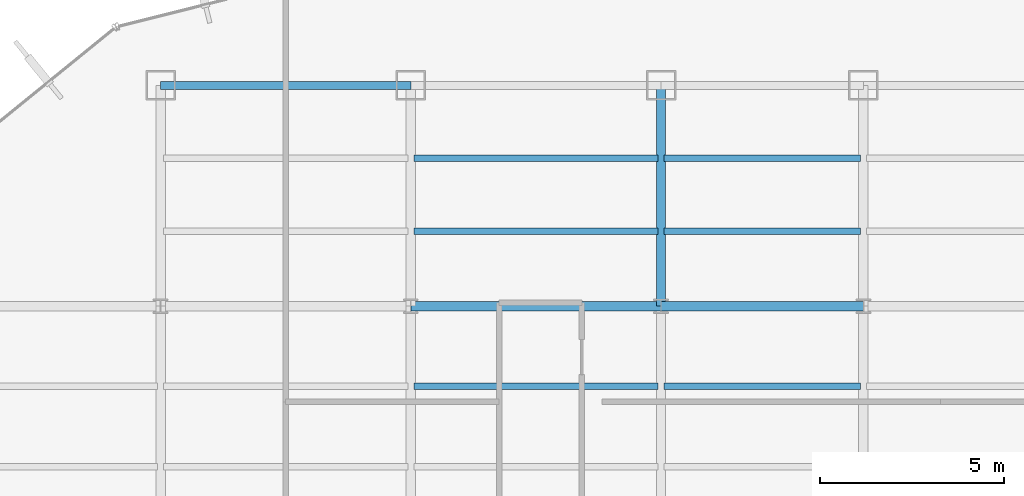
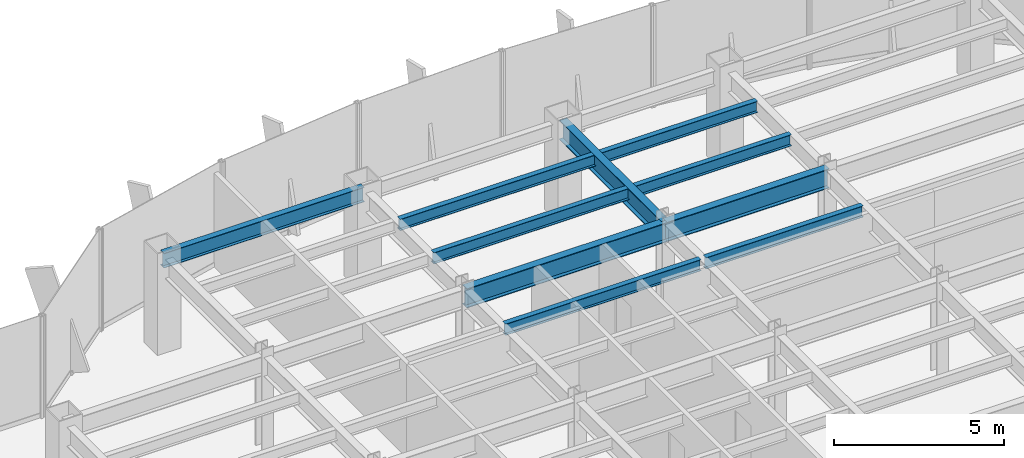
# One storey, part 15 of 26: 10 beams.
"""IFC4 building model written with IfcOpenShell, lengths in metres."""

from ifc_helpers import new_model, si_unit, derived_unit, direction, frame, origin, origin_2d, place, context, subcontext, project, spatial, i_section, extrude, source, transform, mapped, material, material_profile, profile_set, type_object, element, save


model = new_model("IFC4")

# Units and contexts
model_context = context("Model", 3, precision=1e-05, world=origin(), true_north=direction((0.0, 1.0)))
body_context = subcontext(model_context, "Body", "Model", "MODEL_VIEW")
ifc_project = project(units=[si_unit("LENGTHUNIT", "METRE"), si_unit("AREAUNIT", "SQUARE_METRE"), si_unit("VOLUMEUNIT", "CUBIC_METRE"), si_unit("PLANEANGLEUNIT", "RADIAN"), si_unit("MASSUNIT", "GRAM", prefix="KILO"), derived_unit("THERMALTRANSMITTANCEUNIT", [(si_unit("POWERUNIT", "WATT"), 1), (si_unit("LENGTHUNIT", "METRE"), -2), (si_unit("THERMODYNAMICTEMPERATUREUNIT", "KELVIN"), -1)])], contexts=[model_context])

# Site, building, storey
site_placement = place(None, origin())
site = spatial("IfcSite", under=ifc_project, at=site_placement, CompositionType="ELEMENT")
building_placement = place(site_placement, origin())
building = spatial("IfcBuilding", under=site, at=building_placement, Name="Skarnbrae Concourse Arena and Tower", CompositionType="ELEMENT")
storey_placement = place(building_placement, frame((0.0, 0.0, 132.449951171875)))
storey = spatial("IfcBuildingStorey", under=building, at=storey_placement, Name="L33", CompositionType="ELEMENT", Elevation=132.449951171875)

# Beams
ifc_material = material(Name="Steel CSA G40.21 350W", Category="steel")
ifc_material_profile_1 = material_profile(ifc_material, i_section(OverallWidth=0.256103515625, OverallDepth=0.693115234375, WebThickness=0.014404296875, FlangeThickness=0.023681640625, at=origin_2d()), Name="W690X170")
ifc_profile_set_1 = profile_set([ifc_material_profile_1], Name="Steel CSA G40.21 350W")
beam_type_1 = type_object("IfcBeamType", Name="BM-GIRD-W690X170", PredefinedType="BEAM", material=ifc_profile_set_1)
shared_shape_1 = source(origin(), body_context, "Body", "SweptSolid", [
    extrude(i_section(OverallWidth=0.256103515625, OverallDepth=0.693115234375, WebThickness=0.014404296875, FlangeThickness=0.023681640625, at=origin_2d()), origin(), (0.0, 0.0, 1.0), 6.800048828125),
])
beam_1_placement = place(storey_placement, frame((21.199951171875, 34.39990234375, 3.003662109375), z_axis=(1.0, 0.0, 0.0), x_axis=(0.0, 1.0, 0.0)))
element("IfcBeam", 1, at=beam_1_placement, inside=storey, type_object=beam_type_1, Name="L33 Primary E-W girder Y34.4-3", PredefinedType="BEAM", context=body_context, shape_type="MappedRepresentation", body=[
    mapped(shared_shape_1, transform((0.0, 0.0, 0.0))),
])
shared_shape_2 = source(origin(), body_context, "Body", "SweptSolid", [
    extrude(i_section(OverallWidth=0.256103515625, OverallDepth=0.693115234375, WebThickness=0.014404296875, FlangeThickness=0.023681640625, at=origin_2d()), origin(), (0.0, 0.0, 1.0), 5.5),
])
beam_2_placement = place(storey_placement, frame((28.0, 34.39990234375, 3.003662109375), z_axis=(1.0, 0.0, 0.0), x_axis=(0.0, 1.0, 0.0)))
element("IfcBeam", 2, at=beam_2_placement, inside=storey, type_object=beam_type_1, Name="L33 Primary E-W girder Y34.4-4", PredefinedType="BEAM", context=body_context, shape_type="MappedRepresentation", body=[
    mapped(shared_shape_2, transform((0.0, 0.0, 0.0))),
])
ifc_material_profile_2 = material_profile(ifc_material, i_section(OverallWidth=0.208984375, OverallDepth=0.532958984375, WebThickness=0.01025390625, FlangeThickness=0.015625, at=origin_2d()), Name="W530X92")
ifc_profile_set_2 = profile_set([ifc_material_profile_2], Name="Steel CSA G40.21 350W")
beam_type_2 = type_object("IfcBeamType", Name="BM-SPAN-W530X92", PredefinedType="SPANDREL", material=ifc_profile_set_2)
shared_shape_3 = source(origin(), body_context, "Body", "SweptSolid", [
    extrude(i_section(OverallWidth=0.208984375, OverallDepth=0.532958984375, WebThickness=0.01025390625, FlangeThickness=0.015625, at=origin_2d()), origin(), (0.0, 0.0, 1.0), 6.800048828125),
])
beam_3_placement = place(storey_placement, frame((14.39990234375, 40.39990234375, 3.08349609375), z_axis=(1.0, 0.0, 0.0), x_axis=(0.0, 1.0, 0.0)))
element("IfcBeam", 3, at=beam_3_placement, inside=storey, type_object=beam_type_2, Name="L33 Perimeter spandrel Y40.4-1", PredefinedType="SPANDREL", context=body_context, shape_type="MappedRepresentation", body=[
    mapped(shared_shape_3, transform((0.0, 0.0, 0.0))),
])
shared_shape_4 = source(origin(), body_context, "Body", "SweptSolid", [
    extrude(i_section(OverallWidth=0.256103515625, OverallDepth=0.693115234375, WebThickness=0.014404296875, FlangeThickness=0.023681640625, at=origin_2d()), origin(), (0.0, 0.0, 1.0), 6.0),
])
beam_4_placement = place(storey_placement, frame((28.0, 34.39990234375, 3.003662109375), z_axis=(0.0, 1.0, 0.0), x_axis=(-1.0, 0.0, 0.0)))
element("IfcBeam", 4, at=beam_4_placement, inside=storey, type_object=beam_type_1, Name="L33 Primary N-S girder X28.0-4", PredefinedType="BEAM", context=body_context, shape_type="MappedRepresentation", body=[
    mapped(shared_shape_4, transform((0.0, 0.0, 0.0))),
])
ifc_material_profile_3 = material_profile(ifc_material, i_section(OverallWidth=0.177978515625, OverallDepth=0.406982421875, WebThickness=0.0078125, FlangeThickness=0.0126953125, at=origin_2d()), Name="W410X60")
ifc_profile_set_3 = profile_set([ifc_material_profile_3], Name="Steel CSA G40.21 350W")
beam_type_3 = type_object("IfcBeamType", Name="BM-JOIST-W410X60", PredefinedType="JOIST", material=ifc_profile_set_3)
shared_shape_5 = source(origin(), body_context, "Body", "SweptSolid", [
    extrude(i_section(OverallWidth=0.177978515625, OverallDepth=0.406982421875, WebThickness=0.0078125, FlangeThickness=0.0126953125, at=origin_2d()), origin(), (0.0, 0.0, 1.0), 6.639892578125),
])
for number, where, z_axis, x_axis, name in (
    (5, (21.280029296875, 32.221923828125, 3.146484375), (1.0, 0.0, 0.0), (0.0, 1.0, 0.0), "L33 Secondary floor joist 3.2.3"),
    (6, (21.280029296875, 36.43994140625, 3.146484375), (1.0, 0.0, 0.0), (0.0, 1.0, 0.0), "L33 Secondary floor joist 4.1.2"),
    (7, (21.280029296875, 38.419921875, 3.146484375), (1.0, 0.0, 0.0), (0.0, 1.0, 0.0), "L33 Secondary floor joist 4.2.2"),
):
    element("IfcBeam", number, at=place(storey_placement, frame(where, z_axis=z_axis, x_axis=x_axis)), inside=storey, type_object=beam_type_3, Name=name, PredefinedType="JOIST", context=body_context, shape_type="MappedRepresentation", body=[
        mapped(shared_shape_5, transform((0.0, 0.0, 0.0))),
    ])
shared_shape_6 = source(origin(), body_context, "Body", "SweptSolid", [
    extrude(i_section(OverallWidth=0.177978515625, OverallDepth=0.406982421875, WebThickness=0.0078125, FlangeThickness=0.0126953125, at=origin_2d()), origin(), (0.0, 0.0, 1.0), 5.33984375),
])
for number, where, z_axis, x_axis, name in (
    (8, (28.080078125, 32.221923828125, 3.146484375), (1.0, 0.0, 0.0), (0.0, 1.0, 0.0), "L33 Secondary floor joist 3.2.4"),
    (9, (28.080078125, 36.43994140625, 3.146484375), (1.0, 0.0, 0.0), (0.0, 1.0, 0.0), "L33 Secondary floor joist 4.1.3"),
    (10, (28.080078125, 38.419921875, 3.146484375), (1.0, 0.0, 0.0), (0.0, 1.0, 0.0), "L33 Secondary floor joist 4.2.3"),
):
    element("IfcBeam", number, at=place(storey_placement, frame(where, z_axis=z_axis, x_axis=x_axis)), inside=storey, type_object=beam_type_3, Name=name, PredefinedType="JOIST", context=body_context, shape_type="MappedRepresentation", body=[
        mapped(shared_shape_6, transform((0.0, 0.0, 0.0))),
    ])

save(model, "model.ifc")
